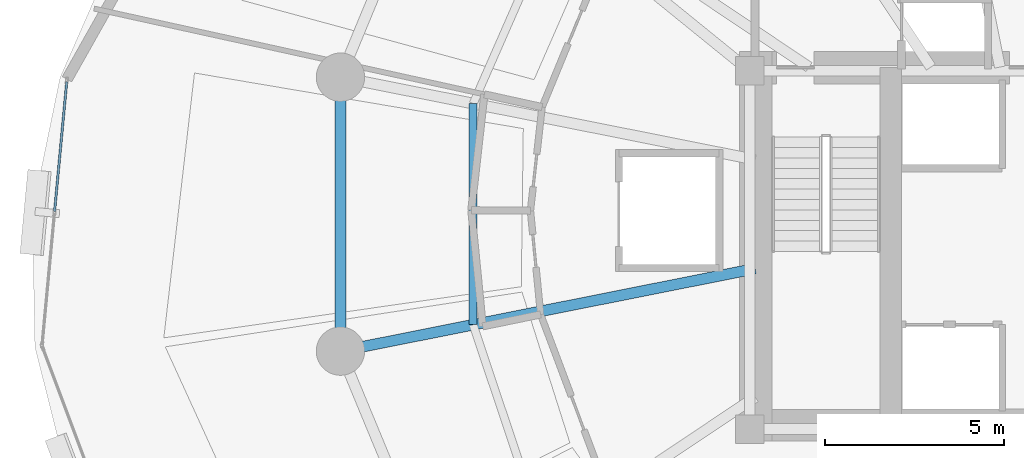
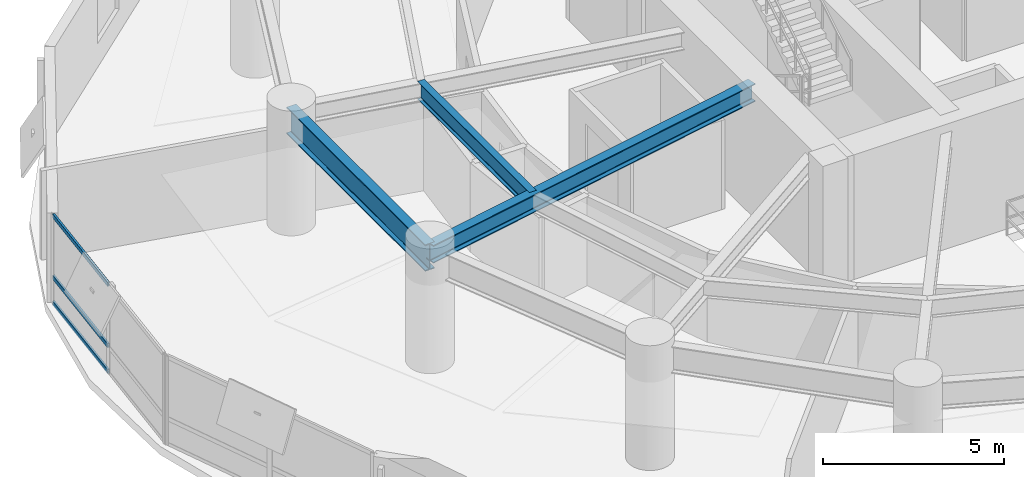
# One storey, part 5 of 17: 3 beams, 3 members, 1 element without a shape of its own.
"""IFC4 building model written with IfcOpenShell, lengths in metres."""

from ifc_helpers import new_model, si_unit, direction, frame, origin, origin_2d, place, context, subcontext, project, spatial, hollow_rectangle, i_section, extrude, material, layer, layer_set, material_profile, profile_set, type_object, element, aggregate, save


model = new_model("IFC4")

# Units and contexts
model_context = context("Model", 3, precision=1e-05, world=origin(), true_north=direction((0.0, 1.0)))
body_context = subcontext(model_context, "Body", "Model", "MODEL_VIEW")
ifc_project = project(units=[si_unit("LENGTHUNIT", "METRE"), si_unit("AREAUNIT", "SQUARE_METRE"), si_unit("VOLUMEUNIT", "CUBIC_METRE"), si_unit("PLANEANGLEUNIT", "RADIAN"), si_unit("MASSUNIT", "GRAM", prefix="KILO"), si_unit("THERMODYNAMICTEMPERATUREUNIT", "KELVIN"), si_unit("POWERUNIT", "WATT")], contexts=[model_context])

# Site, building, storey
site_placement = place(None, origin())
site = spatial("IfcSite", under=ifc_project, at=site_placement, CompositionType="ELEMENT")
building_placement = place(site_placement, origin())
building = spatial("IfcBuilding", under=site, at=building_placement, Name="Ocrelia Relay Tower", CompositionType="ELEMENT")
storey_placement = place(building_placement, frame((0.0, 0.0, 63.60009765625)))
storey = spatial("IfcBuildingStorey", under=building, at=storey_placement, Name="L14", CompositionType="ELEMENT", Elevation=63.60009765625)

# Beams
ifc_material_1 = material(Name="Steel S355", Category="steel")
ifc_material_profile_1 = material_profile(ifc_material_1, i_section(OverallWidth=0.300048828125, OverallDepth=0.60009765625, WebThickness=0.015380859375, FlangeThickness=0.030029296875, FilletRadius=0.027099609375, at=origin_2d()), Name="HEB 600")
ifc_profile_set_1 = profile_set([ifc_material_profile_1], Name="Steel S355")
beam_type_1 = type_object("IfcBeamType", Name="BM-HEB600", PredefinedType="BEAM", material=ifc_profile_set_1)
beam_1_placement = place(storey_placement, frame((14.776611328125, 22.17626953125, 3.619873046875), z_axis=(0.980786938484, 0.195081986098, 0.0), x_axis=(-0.195081986098, 0.980786938484, 0.0)))
element("IfcBeam", 1, at=beam_1_placement, inside=storey, type_object=beam_type_1, Name="L14 Radial Floor Girder R09", PredefinedType="BEAM", context=body_context, shape_type="SweptSolid", body=[
    extrude(i_section(OverallWidth=0.300048828125, OverallDepth=0.60009765625, WebThickness=0.015380859375, FlangeThickness=0.030029296875, FilletRadius=0.027099609375, at=origin_2d()), origin(), (0.0, 0.0, 1.0), 11.80517578125),
])
ifc_material_profile_2 = material_profile(ifc_material_1, i_section(OverallWidth=0.300048828125, OverallDepth=0.89990234375, WebThickness=0.0185546875, FlangeThickness=0.034912109375, FilletRadius=0.030029296875, at=origin_2d()), Name="HEB 900")
ifc_profile_set_2 = profile_set([ifc_material_profile_2], Name="Steel S355")
beam_type_2 = type_object("IfcBeamType", Name="BM-HEB900", PredefinedType="BEAM", material=ifc_profile_set_2)
beam_2_placement = place(storey_placement, frame((14.776611328125, 29.82373046875, 3.469970703125), z_axis=(0.0, -1.0, 0.0), x_axis=(1.0, 0.0, 0.0)))
element("IfcBeam", 2, at=beam_2_placement, inside=storey, type_object=beam_type_2, Name="L14 Perimeter Spandrel Beam S08", PredefinedType="BEAM", context=body_context, shape_type="SweptSolid", body=[
    extrude(i_section(OverallWidth=0.300048828125, OverallDepth=0.89990234375, WebThickness=0.0185546875, FlangeThickness=0.034912109375, FilletRadius=0.030029296875, at=origin_2d()), origin(), (0.0, 0.0, 1.0), 7.6474609375),
])
ifc_material_profile_3 = material_profile(ifc_material_1, i_section(OverallWidth=0.219970703125, OverallDepth=0.60009765625, WebThickness=0.011962890625, FlangeThickness=0.01904296875, FilletRadius=0.02392578125, at=origin_2d()), Name="IPE 600")
ifc_profile_set_3 = profile_set([ifc_material_profile_3], Name="Steel S355")
beam_type_3 = type_object("IfcBeamType", Name="BM-IPE600", PredefinedType="JOIST", material=ifc_profile_set_3)
beam_3_placement = place(storey_placement, frame((18.481689453125, 29.0869140625, 3.619873046875), z_axis=(0.0, -1.0, 0.0), x_axis=(1.0, 0.0, 0.0)))
element("IfcBeam", 3, at=beam_3_placement, inside=storey, type_object=beam_type_3, Name="L14 Secondary Floor Joist J08", PredefinedType="JOIST", context=body_context, shape_type="SweptSolid", body=[
    extrude(i_section(OverallWidth=0.219970703125, OverallDepth=0.60009765625, WebThickness=0.011962890625, FlangeThickness=0.01904296875, FilletRadius=0.02392578125, at=origin_2d()), origin(), (0.0, 0.0, 1.0), 6.173828125),
])

# Curtain wall, members
ifc_material_2 = material(Name="Aluminium and solar-control low-E glass", Category="aluminium")
ifc_layer = layer(ifc_material_2, 0.179931640625, Name="Aluminium and solar-control low-E glass")
ifc_layer_set = layer_set([ifc_layer], Name="Aluminium and solar-control low-E glass")
curtain_wall_type = type_object("IfcCurtainWallType", Name="CW-SYS-Z1-DATA", PredefinedType="NOTDEFINED", material=ifc_layer_set)
curtain_wall_placement = place(storey_placement, origin())
curtain_wall = element("IfcCurtainWall", 4, at=curtain_wall_placement, inside=storey, type_object=curtain_wall_type, Name="L14 Elliptical Tower Curtain Wall Bay 09", PredefinedType="NOTDEFINED")
ifc_material_3 = material(Name="Anodised bronze aluminium", Category="aluminium")
ifc_material_profile_4 = material_profile(ifc_material_3, hollow_rectangle(XDim=0.06494140625, YDim=0.139892578125, WallThickness=0.0048828125, at=origin_2d()), Name="CW-TRN-140x65")
ifc_profile_set_4 = profile_set([ifc_material_profile_4], Name="Anodised bronze aluminium")
member_type = type_object("IfcMemberType", Name="CW-SYS-Z1-DATA-TRN", PredefinedType="USERDEFINED", material=ifc_profile_set_4)
member_1_placement = place(storey_placement, frame((7.135986328125, 29.6962890625, 0.032470703125), z_axis=(-0.093419823155, -0.995626805908, 0.0), x_axis=(0.995626805908, -0.093419823155, 0.0)))
member_1 = element("IfcMember", 5, at=member_1_placement, type_object=member_type, Name="CW-Z1 transom 1.1", ObjectType="TRANSOM", PredefinedType="USERDEFINED", context=body_context, shape_type="SweptSolid", body=[
    extrude(hollow_rectangle(XDim=0.06494140625, YDim=0.139892578125, WallThickness=0.0048828125, at=origin_2d()), origin(), (0.0, 0.0, 1.0), 3.632568359375),
])
member_2_placement = place(storey_placement, frame((7.135986328125, 29.6962890625, 0.89990234375), z_axis=(-0.093419823155, -0.995626805908, 0.0), x_axis=(0.995626805908, -0.093419823155, 0.0)))
member_2 = element("IfcMember", 6, at=member_2_placement, type_object=member_type, Name="CW-Z1 transom 1.2", ObjectType="TRANSOM", PredefinedType="USERDEFINED", context=body_context, shape_type="SweptSolid", body=[
    extrude(hollow_rectangle(XDim=0.06494140625, YDim=0.139892578125, WallThickness=0.0048828125, at=origin_2d()), origin(), (0.0, 0.0, 1.0), 3.632568359375),
])
member_3_placement = place(storey_placement, frame((7.135986328125, 29.6962890625, 2.96728515625), z_axis=(-0.093419823155, -0.995626805908, 0.0), x_axis=(0.995626805908, -0.093419823155, 0.0)))
member_3 = element("IfcMember", 7, at=member_3_placement, type_object=member_type, Name="CW-Z1 transom 1.3", ObjectType="TRANSOM", PredefinedType="USERDEFINED", context=body_context, shape_type="SweptSolid", body=[
    extrude(hollow_rectangle(XDim=0.06494140625, YDim=0.139892578125, WallThickness=0.0048828125, at=origin_2d()), origin(), (0.0, 0.0, 1.0), 3.632568359375),
])
aggregate(curtain_wall, [member_1, member_2, member_3])

save(model, "model.ifc")
